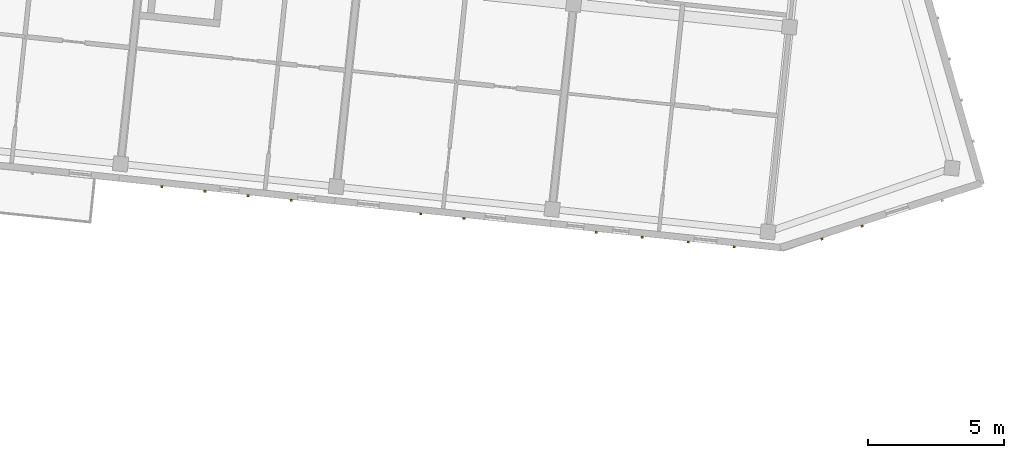
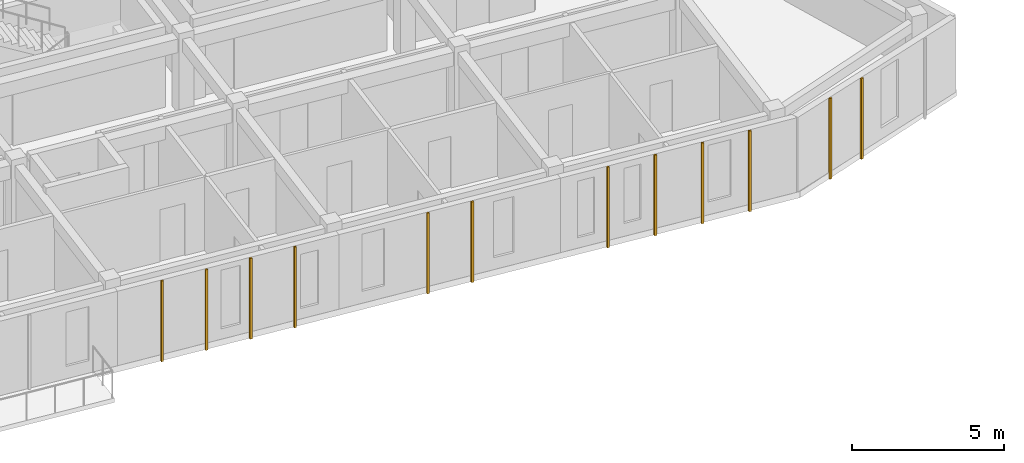
# One storey, part 62 of 65: 12 coverings.
"""IFC4 building model written with IfcOpenShell, lengths in metres."""

from ifc_helpers import new_model, si_unit, direction, frame, origin, origin_2d, place, context, subcontext, project, spatial, rectangle, extrude, material, layer, layer_set, type_object, element, save


model = new_model("IFC4")

# Units and contexts
model_context = context("Model", 3, precision=1e-05, world=origin(), true_north=direction((0.0, 1.0)))
body_context = subcontext(model_context, "Body", "Model", "MODEL_VIEW")
ifc_project = project(units=[si_unit("LENGTHUNIT", "METRE"), si_unit("AREAUNIT", "SQUARE_METRE"), si_unit("VOLUMEUNIT", "CUBIC_METRE"), si_unit("PLANEANGLEUNIT", "RADIAN"), si_unit("MASSUNIT", "GRAM", prefix="KILO")], contexts=[model_context])

# Site, building, storey
site_placement = place(None, origin())
site = spatial("IfcSite", under=ifc_project, at=site_placement, CompositionType="ELEMENT")
building_placement = place(site_placement, origin())
building = spatial("IfcBuilding", under=site, at=building_placement, Name="Kestramere Prow Commons", CompositionType="ELEMENT")
storey_placement = place(building_placement, frame((0.0, 0.0, 21.39990234375)))
storey = spatial("IfcBuildingStorey", under=building, at=storey_placement, Name="L06", CompositionType="ELEMENT", Elevation=21.39990234375)

# Coverings
ifc_material = material(Name="Weathered Zinc-Titanium Standing-Seam Cladding")
ifc_layer = layer(ifc_material, 0.074951171875)
ifc_layer_set = layer_set([ifc_layer], Name="Weathered Zinc-Titanium Standing-Seam Cladding")
covering_type = type_object("IfcCoveringType", Name="COV-CLAD-SEAM", PredefinedType="CLADDING", material=ifc_layer_set)
for number, where, z_axis, x_axis, name in (
    (1, (140.16259765625, 90.948486328125, -0.25), (0.0, 0.0, 1.0), (-0.994521895368, 0.104528463268, 0.0), "EW-B-L06-S-3 Standing-Seam Rib 1"),
    (2, (138.5712890625, 91.11572265625, -0.25), (0.0, 0.0, 1.0), (-0.994521895368, 0.104528463268, 0.0), "EW-B-L06-S-3 Standing-Seam Rib 2"),
    (3, (136.980224609375, 91.282958984375, -0.25), (0.0, 0.0, 1.0), (-0.994521895368, 0.104528463268, 0.0), "EW-B-L06-S-3 Standing-Seam Rib 3"),
    (4, (135.388916015625, 91.4501953125, -0.25), (0.0, 0.0, 1.0), (-0.994521895368, 0.104528463268, 0.0), "EW-B-L06-S-3 Standing-Seam Rib 4"),
    (5, (146.527587890625, 90.279541015625, -0.25), (0.0, 0.0, 1.0), (-0.994521895368, 0.104528463268, 0.0), "EW-B-L06-S-4 Standing-Seam Rib 2"),
    (6, (144.936279296875, 90.44677734375, -0.25), (0.0, 0.0, 1.0), (-0.994521895368, 0.104528463268, 0.0), "EW-B-L06-S-4 Standing-Seam Rib 3"),
    (7, (156.49267578125, 89.232177734375, -0.25), (0.0, 0.0, 1.0), (-0.994521895368, 0.104528463268, 0.0), "EW-B-L06-S-5 Standing-Seam Rib 1"),
    (8, (154.797119140625, 89.410400390625, -0.25), (0.0, 0.0, 1.0), (-0.994521895368, 0.104528463268, 0.0), "EW-B-L06-S-5 Standing-Seam Rib 2"),
    (9, (153.101318359375, 89.588623046875, -0.25), (0.0, 0.0, 1.0), (-0.994521895368, 0.104528463268, 0.0), "EW-B-L06-S-5 Standing-Seam Rib 3"),
    (10, (151.40576171875, 89.766845703125, -0.25), (0.0, 0.0, 1.0), (-0.994521895368, 0.104528463268, 0.0), "EW-B-L06-S-5 Standing-Seam Rib 4"),
    (11, (161.20703125, 89.997314453125, -0.25), (0.0, 0.0, 1.0), (-0.952283464374, -0.305215011884, 0.0), "EW-B-L06-PRW-S Standing-Seam Rib 3"),
    (12, (159.73046875, 89.524169921875, -0.25), (0.0, 0.0, 1.0), (-0.952283464374, -0.305215011884, 0.0), "EW-B-L06-PRW-S Standing-Seam Rib 4"),
):
    element("IfcCovering", number, at=place(storey_placement, frame(where, z_axis=z_axis, x_axis=x_axis)), inside=storey, type_object=covering_type, Name=name, PredefinedType="CLADDING", context=body_context, shape_type="SweptSolid", body=[
        extrude(rectangle(XDim=0.0849609375, YDim=0.06494140625, at=origin_2d()), origin(), (0.0, 0.0, 1.0), 3.25),
    ])

save(model, "model.ifc")
